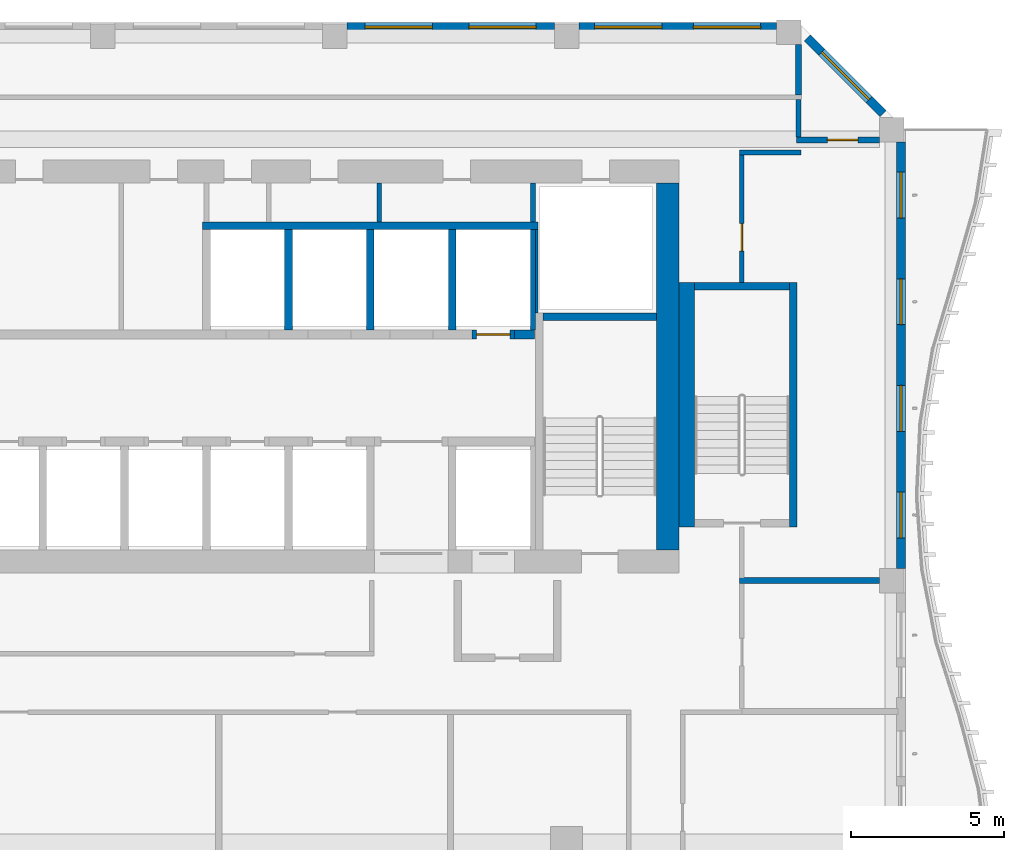
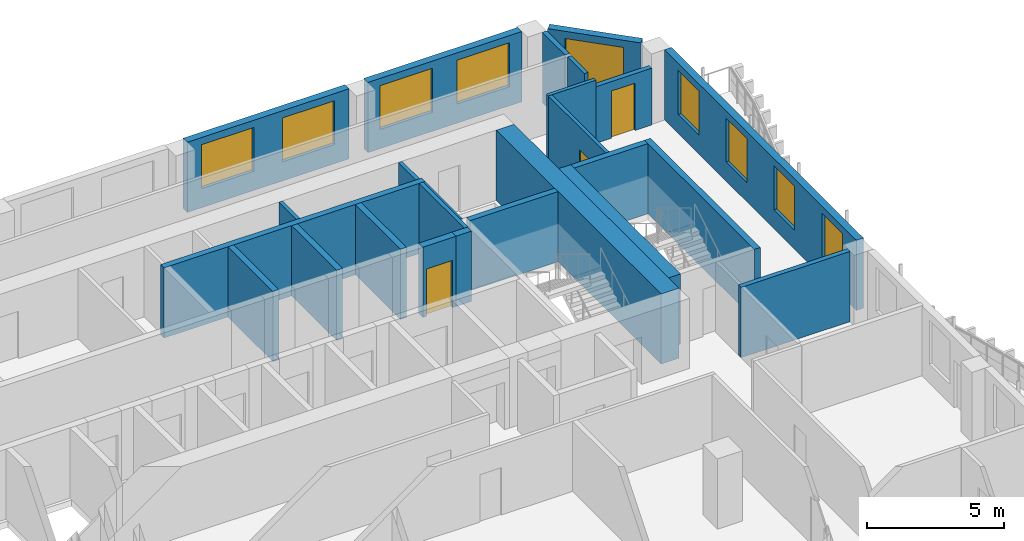
# One storey, part 10 of 21: 25 walls, 9 windows, 3 doors, 12 openings.
"""IFC4 building model written with IfcOpenShell, lengths in metres."""

from ifc_helpers import new_model, si_unit, direction, frame, frame_2d, origin, place, context, subcontext, project, spatial, rectangle, extrude, source, transform, mapped, material, layer, layer_set, type_object, element, fill, save


model = new_model("IFC4")

# Units and contexts
model_context = context("Model", 3, precision=1e-05, world=origin(), true_north=direction((0.0, 1.0)))
body_context = subcontext(model_context, "Body", "Model", "MODEL_VIEW")
ifc_project = project(units=[si_unit("LENGTHUNIT", "METRE"), si_unit("AREAUNIT", "SQUARE_METRE"), si_unit("VOLUMEUNIT", "CUBIC_METRE"), si_unit("PLANEANGLEUNIT", "RADIAN"), si_unit("MASSUNIT", "GRAM", prefix="KILO")], contexts=[model_context])

# Site, building, storey
site_placement = place(None, origin())
site = spatial("IfcSite", under=ifc_project, at=site_placement, CompositionType="ELEMENT")
building_placement = place(site_placement, origin())
building = spatial("IfcBuilding", under=site, at=building_placement, Name="Kilnfold Tower and Market Hall", CompositionType="ELEMENT")
storey_placement = place(building_placement, frame((0.0, 0.0, 182.10009765625)))
storey = spatial("IfcBuildingStorey", under=building, at=storey_placement, Name="L43", CompositionType="ELEMENT", Elevation=182.10009765625)

# Wall
ifc_material_1 = material(Name="Gypsum board on steel studs", Category="steel")
ifc_layer_1 = layer(ifc_material_1, 0.14990234375)
ifc_layer_set_1 = layer_set([ifc_layer_1], Name="Gypsum board on steel studs")
wall_type_1 = type_object("IfcWallType", Name="WALL CORRIDOR 150", PredefinedType="PARTITIONING", material=ifc_layer_set_1)
wall_1_placement = place(storey_placement, frame((19.824951171875, 22.0, 0.0), z_axis=(0.0, 0.0, 1.0), x_axis=(1.0, 0.0, 0.0)))
element("IfcWall", 1, at=wall_1_placement, inside=storey, type_object=wall_type_1, Name="Partition LY27.30", PredefinedType="PARTITIONING", context=body_context, shape_type="SweptSolid", body=[
    extrude(rectangle(XDim=2.0, YDim=0.14990234375, at=frame_2d((1.0, 0.0))), origin(), (0.0, 0.0, 1.0), 3.119873046875),
])

# Wall, opening, door
wall_2_placement = place(storey_placement, frame((19.89990234375, 17.75, 0.0), z_axis=(0.0, 0.0, 1.0), x_axis=(0.0, 1.0, 0.0)))
wall_2 = element("IfcWall", 2, at=wall_2_placement, inside=storey, type_object=wall_type_1, Name="Partition LY27.31", PredefinedType="PARTITIONING", context=body_context, shape_type="SweptSolid", body=[
    extrude(rectangle(XDim=4.175048828125, YDim=0.14990234375, at=frame_2d((2.08740234375, 0.0))), origin(), (0.0, 0.0, 1.0), 3.119873046875),
])
opening_1_placement = place(wall_2_placement, frame((1.02099609375, 0.0, 0.0)))
opening_1 = element("IfcOpeningElement", 3, at=opening_1_placement, cuts=wall_2, Name="Opening D2", PredefinedType="OPENING", context=body_context, shape_type="SweptSolid", body=[
    extrude(rectangle(XDim=0.89990234375, YDim=2.10009765625, at=frame_2d((0.449951171875, 1.050048828125))), frame((0.0, 0.0849609375, 0.0), z_axis=(0.0, -1.0, 0.0), x_axis=(1.0, 0.0, 0.0)), (0.0, 0.0, 1.0), 0.169921875),
])
ifc_material_2 = material(Name="Timber veneer door leaf in steel frame", Category="steel")
door_type_1 = type_object("IfcDoorType", Name="DOOR ROOM 900 X2100", OperationType="NOTDEFINED", PredefinedType="DOOR", material=ifc_material_2)
door_1_placement = place(opening_1_placement, origin())
door_1 = element("IfcDoor", 4, at=door_1_placement, inside=storey, type_object=door_type_1, Name="Door D2", OperationType="SINGLE_SWING_LEFT", OverallHeight=2.10009765625, OverallWidth=0.89990234375, PredefinedType="DOOR", context=body_context, shape_type="SweptSolid", body=[
    extrude(rectangle(XDim=0.89990234375, YDim=2.10009765625, at=frame_2d((0.449951171875, 1.050048828125))), frame((0.0, 0.02490234375, 0.0), z_axis=(0.0, -1.0, 0.0), x_axis=(1.0, 0.0, 0.0)), (0.0, 0.0, 1.0), 0.050048828125),
])
fill(opening_1, door_1)

# Walls
wall_3_placement = place(storey_placement, frame((21.75, 22.5029296875, 0.0), z_axis=(0.0, 0.0, 1.0), x_axis=(0.0, 1.0, 0.0)))
element("IfcWall", 5, at=wall_3_placement, inside=storey, type_object=wall_type_1, Name="Partition LY27.33", PredefinedType="PARTITIONING", context=body_context, shape_type="SweptSolid", body=[
    extrude(rectangle(XDim=1.22216796875, YDim=0.14990234375, at=frame_2d((0.611083984375, 0.0))), origin(), (0.0, 0.0, 1.0), 3.119873046875),
])
ifc_material_3 = material(Name="Gypsum board on steel studs", Category="steel")
ifc_layer_2 = layer(ifc_material_3, 0.199951171875)
ifc_layer_set_2 = layer_set([ifc_layer_2], Name="Gypsum board on steel studs")
wall_type_2 = type_object("IfcWallType", Name="WALL PARTY 200", PredefinedType="PARTITIONING", material=ifc_layer_set_2)
wall_4_placement = place(storey_placement, frame((19.826904296875, 8.0, 0.0), z_axis=(0.0, 0.0, 1.0), x_axis=(1.0, 0.0, 0.0)))
element("IfcWall", 6, at=wall_4_placement, inside=storey, type_object=wall_type_2, Name="Partition LY27.111", PredefinedType="PARTITIONING", context=body_context, shape_type="SweptSolid", body=[
    extrude(rectangle(XDim=4.572998046875, YDim=0.199951171875, at=frame_2d((2.28662109375, 0.0))), origin(), (0.0, 0.0, 1.0), 3.119873046875),
])

# Wall, opening, door
wall_5_placement = place(storey_placement, frame((24.39990234375, 22.4130859375, 0.0), z_axis=(0.0, 0.0, 1.0), x_axis=(-1.0, 0.0, 0.0)))
wall_5 = element("IfcWall", 7, at=wall_5_placement, inside=storey, type_object=wall_type_2, Name="Partition LY27.113", PredefinedType="PARTITIONING", context=body_context, shape_type="SweptSolid", body=[
    extrude(rectangle(XDim=2.722900390625, YDim=0.199951171875, at=frame_2d((1.361328125, 0.0))), origin(), (0.0, 0.0, 1.0), 2.52001953125),
])
opening_2_placement = place(wall_5_placement, frame((0.708984375, 0.0, 0.0)))
opening_2 = element("IfcOpeningElement", 8, at=opening_2_placement, cuts=wall_5, Name="Opening D4", PredefinedType="OPENING", context=body_context, shape_type="SweptSolid", body=[
    extrude(rectangle(XDim=1.0, YDim=2.10009765625, at=frame_2d((0.5, 1.050048828125))), frame((0.0, 0.10986328125, 0.0), z_axis=(0.0, -1.0, 0.0), x_axis=(1.0, 0.0, 0.0)), (0.0, 0.0, 1.0), 0.219970703125),
])
ifc_material_4 = material(Name="Timber veneer door leaf in steel frame", Category="steel")
door_type_2 = type_object("IfcDoorType", Name="DOOR SERVICE 1000 X2100", OperationType="NOTDEFINED", PredefinedType="DOOR", material=ifc_material_4)
door_2_placement = place(opening_2_placement, origin())
door_2 = element("IfcDoor", 9, at=door_2_placement, inside=storey, type_object=door_type_2, Name="Door D4", OperationType="SINGLE_SWING_RIGHT", OverallHeight=2.10009765625, OverallWidth=1.0, PredefinedType="DOOR", context=body_context, shape_type="SweptSolid", body=[
    extrude(rectangle(XDim=1.0, YDim=2.10009765625, at=frame_2d((0.5, 1.050048828125))), frame((0.0, 0.02490234375, 0.0), z_axis=(0.0, -1.0, 0.0), x_axis=(1.0, 0.0, 0.0)), (0.0, 0.0, 1.0), 0.050048828125),
])
fill(opening_2, door_2)

# Walls
wall_6_placement = place(storey_placement, frame((21.75, 25.531982421875, 0.0), z_axis=(0.0, 0.0, 1.0), x_axis=(0.0, -1.0, 0.0)))
element("IfcWall", 10, at=wall_6_placement, inside=storey, type_object=wall_type_2, Name="Partition LY27.114", PredefinedType="PARTITIONING", context=body_context, shape_type="SweptSolid", body=[
    extrude(rectangle(XDim=1.655029296875, YDim=0.199951171875, at=frame_2d((0.82763671875, 0.0))), origin(), (0.0, 0.0, 1.0), 3.119873046875),
])
ifc_material_5 = material(Name="Concrete C60", Category="concrete")
ifc_layer_3 = layer(ifc_material_5, 0.25)
ifc_layer_set_3 = layer_set([ifc_layer_3], Name="Concrete C60")
wall_type_3 = type_object("IfcWallType", Name="CORE WALL 250 C60", PredefinedType="SHEAR", material=ifc_layer_set_3)
shared_shape_1 = source(origin(), body_context, "Body", "SweptSolid", [
    extrude(rectangle(XDim=3.7001953125, YDim=0.25, at=frame_2d((1.85009765625, 0.0))), origin(), (0.0, 0.0, 1.0), 3.119873046875),
])
wall_7_placement = place(storey_placement, frame((13.39990234375, 16.625, 0.0), z_axis=(0.0, 0.0, 1.0), x_axis=(1.0, 0.0, 0.0)))
element("IfcWall", 11, at=wall_7_placement, inside=storey, type_object=wall_type_3, Name="Stair enclosure ST2", PredefinedType="SHEAR", context=body_context, shape_type="MappedRepresentation", body=[
    mapped(shared_shape_1, transform((0.0, 0.0, 0.0))),
])
shared_shape_2 = source(origin(), body_context, "Body", "SweptSolid", [
    extrude(rectangle(XDim=8.0, YDim=0.25, at=frame_2d((4.0, 0.0))), origin(), (0.0, 0.0, 1.0), 3.119873046875),
])
wall_8_placement = place(storey_placement, frame((21.574951171875, 9.75, 0.0), z_axis=(0.0, 0.0, 1.0), x_axis=(0.0, 1.0, 0.0)))
element("IfcWall", 12, at=wall_8_placement, inside=storey, type_object=wall_type_3, Name="Stair enclosure ST5", PredefinedType="SHEAR", context=body_context, shape_type="MappedRepresentation", body=[
    mapped(shared_shape_2, transform((0.0, 0.0, 0.0))),
])
shared_shape_3 = source(origin(), body_context, "Body", "SweptSolid", [
    extrude(rectangle(XDim=3.099853515625, YDim=0.25, at=frame_2d((1.5498046875, 0.0))), origin(), (0.0, 0.0, 1.0), 3.119873046875),
])
wall_9_placement = place(storey_placement, frame((18.35009765625, 17.625, 0.0), z_axis=(0.0, 0.0, 1.0), x_axis=(1.0, 0.0, 0.0)))
element("IfcWall", 13, at=wall_9_placement, inside=storey, type_object=wall_type_3, Name="Stair enclosure ST5", PredefinedType="SHEAR", context=body_context, shape_type="MappedRepresentation", body=[
    mapped(shared_shape_3, transform((0.0, 0.0, 0.0))),
])
ifc_material_6 = material(Name="Concrete C60", Category="concrete")
ifc_layer_4 = layer(ifc_material_6, 0.300048828125)
ifc_layer_set_4 = layer_set([ifc_layer_4], Name="Concrete C60")
wall_type_4 = type_object("IfcWallType", Name="CORE WALL 300 C60", PredefinedType="SHEAR", material=ifc_layer_set_4)
shared_shape_4 = source(origin(), body_context, "Body", "SweptSolid", [
    extrude(rectangle(XDim=0.64013671875, YDim=0.300048828125, at=frame_2d((0.320068359375, 0.0))), origin(), (0.0, 0.0, 1.0), 3.119873046875),
])
wall_10_placement = place(storey_placement, frame((12.469970703125, 16.050048828125, 0.0), z_axis=(0.0, 0.0, 1.0), x_axis=(1.0, 0.0, 0.0)))
element("IfcWall", 14, at=wall_10_placement, inside=storey, type_object=wall_type_4, Name="Core spine wall", PredefinedType="SHEAR", context=body_context, shape_type="MappedRepresentation", body=[
    mapped(shared_shape_4, transform((0.0, 0.0, 0.0))),
])
ifc_material_7 = material(Name="Concrete C60", Category="concrete")
ifc_layer_5 = layer(ifc_material_7, 0.75)
ifc_layer_set_5 = layer_set([ifc_layer_5], Name="Concrete C60")
wall_type_5 = type_object("IfcWallType", Name="CORE WALL 750 C60", PredefinedType="SHEAR", material=ifc_layer_set_5)
shared_shape_5 = source(origin(), body_context, "Body", "SweptSolid", [
    extrude(rectangle(XDim=12.0, YDim=0.75, at=frame_2d((6.0, 0.0))), origin(), (0.0, 0.0, 1.0), 3.119873046875),
])
wall_11_placement = place(storey_placement, frame((17.47509765625, 9.0, 0.0), z_axis=(0.0, 0.0, 1.0), x_axis=(0.0, 1.0, 0.0)))
element("IfcWall", 15, at=wall_11_placement, inside=storey, type_object=wall_type_5, Name="Core outer wall east", PredefinedType="SHEAR", context=body_context, shape_type="MappedRepresentation", body=[
    mapped(shared_shape_5, transform((0.0, 0.0, 0.0))),
])
ifc_material_8 = material(Name="Concrete C60", Category="concrete")
ifc_layer_6 = layer(ifc_material_8, 0.5)
ifc_layer_set_6 = layer_set([ifc_layer_6], Name="Concrete C60")
wall_type_6 = type_object("IfcWallType", Name="CORE WALL 500 C60", PredefinedType="SHEAR", material=ifc_layer_set_6)
shared_shape_6 = source(origin(), body_context, "Body", "SweptSolid", [
    extrude(rectangle(XDim=8.0, YDim=0.5, at=frame_2d((4.0, 0.0))), origin(), (0.0, 0.0, 1.0), 3.119873046875),
])
wall_12_placement = place(storey_placement, frame((18.10009765625, 9.75, 0.0), z_axis=(0.0, 0.0, 1.0), x_axis=(0.0, 1.0, 0.0)))
element("IfcWall", 16, at=wall_12_placement, inside=storey, type_object=wall_type_6, Name="Stair enclosure ST5", PredefinedType="SHEAR", context=body_context, shape_type="MappedRepresentation", body=[
    mapped(shared_shape_6, transform((0.0, 0.0, 0.0))),
])

# Wall, openings, windows
ifc_material_9 = material(Name="Precast concrete C50/60", Category="concrete")
ifc_layer_7 = layer(ifc_material_9, 0.300048828125)
ifc_layer_set_7 = layer_set([ifc_layer_7], Name="Precast concrete C50/60")
wall_type_7 = type_object("IfcWallType", Name="PRECAST WALL 300", PredefinedType="SOLIDWALL", material=ifc_layer_set_7)
shared_shape_7 = source(origin(), body_context, "Body", "SweptSolid", [
    extrude(rectangle(XDim=6.783203125, YDim=0.300048828125, at=frame_2d((3.3916015625, 0.0))), origin(), (0.0, 0.0, 1.0), 3.119873046875),
])
wall_13_placement = place(storey_placement, frame((13.7666015625, 26.10009765625, 0.0), z_axis=(0.0, 0.0, 1.0), x_axis=(-1.0, 0.0, 0.0)))
wall_13 = element("IfcWall", 17, at=wall_13_placement, inside=storey, type_object=wall_type_7, Name="External wall L43 N", PredefinedType="SOLIDWALL", context=body_context, shape_type="MappedRepresentation", body=[
    mapped(shared_shape_7, transform((0.0, 0.0, 0.0))),
])
opening_3_placement = place(wall_13_placement, frame((0.595703125, 0.0, 0.85009765625)))
opening_3 = element("IfcOpeningElement", 18, at=opening_3_placement, cuts=wall_13, Name="Opening W2", PredefinedType="OPENING", context=body_context, shape_type="SweptSolid", body=[
    extrude(rectangle(XDim=2.199951171875, YDim=1.949951171875, at=frame_2d((1.10009765625, 0.97509765625))), frame((0.0, 0.16015625, 0.0), z_axis=(0.0, -1.0, 0.0), x_axis=(1.0, 0.0, 0.0)), (0.0, 0.0, 1.0), 0.320068359375),
])
opening_4_placement = place(wall_13_placement, frame((3.987548828125, 0.0, 0.85009765625)))
opening_4 = element("IfcOpeningElement", 19, at=opening_4_placement, cuts=wall_13, Name="Opening W2", PredefinedType="OPENING", context=body_context, shape_type="SweptSolid", body=[
    extrude(rectangle(XDim=2.199951171875, YDim=1.949951171875, at=frame_2d((1.10009765625, 0.97509765625))), frame((0.0, 0.16015625, 0.0), z_axis=(0.0, -1.0, 0.0), x_axis=(1.0, 0.0, 0.0)), (0.0, 0.0, 1.0), 0.320068359375),
])
ifc_material_10 = material(Name="Aluminium frame and double glazing", Category="aluminium")
window_type_1 = type_object("IfcWindowType", Name="WINDOW W2 2200X1950", PartitioningType="SINGLE_PANEL", PredefinedType="WINDOW", material=ifc_material_10)
window_1_placement = place(opening_3_placement, origin())
window_1 = element("IfcWindow", 20, at=window_1_placement, inside=storey, type_object=window_type_1, Name="Window W2 L43 N-1", OverallHeight=1.949951171875, OverallWidth=2.199951171875, PartitioningType="SINGLE_PANEL", PredefinedType="WINDOW", context=body_context, shape_type="SweptSolid", body=[
    extrude(rectangle(XDim=2.199951171875, YDim=1.949951171875, at=frame_2d((1.10009765625, 0.97509765625))), frame((0.0, 0.030029296875, 0.0), z_axis=(0.0, -1.0, 0.0), x_axis=(1.0, 0.0, 0.0)), (0.0, 0.0, 1.0), 0.06005859375),
])
fill(opening_3, window_1)
window_2_placement = place(opening_4_placement, origin())
window_2 = element("IfcWindow", 21, at=window_2_placement, inside=storey, type_object=window_type_1, Name="Window W2 L43 N-2", OverallHeight=1.949951171875, OverallWidth=2.199951171875, PartitioningType="SINGLE_PANEL", PredefinedType="WINDOW", context=body_context, shape_type="SweptSolid", body=[
    extrude(rectangle(XDim=2.199951171875, YDim=1.949951171875, at=frame_2d((1.10009765625, 0.97509765625))), frame((0.0, 0.030029296875, 0.0), z_axis=(0.0, -1.0, 0.0), x_axis=(1.0, 0.0, 0.0)), (0.0, 0.0, 1.0), 0.06005859375),
])
fill(opening_4, window_2)

# Wall, opening, window
shared_shape_8 = source(origin(), body_context, "Body", "SweptSolid", [
    extrude(rectangle(XDim=3.500244140625, YDim=0.300048828125, at=frame_2d((1.75, 0.0))), origin(), (0.0, 0.0, 1.0), 3.119873046875),
])
wall_14_placement = place(storey_placement, frame((24.518798828125, 23.268798828125, 0.0), z_axis=(0.0, 0.0, 1.0), x_axis=(-0.70707190453, 0.707141656123, 0.0)))
wall_14 = element("IfcWall", 22, at=wall_14_placement, inside=storey, type_object=wall_type_7, Name="External wall L43 NE", PredefinedType="SOLIDWALL", context=body_context, shape_type="MappedRepresentation", body=[
    mapped(shared_shape_8, transform((0.0, 0.0, 0.0))),
])
opening_5_placement = place(wall_14_placement, frame((0.650146484375, 0.0, 0.85009765625)))
opening_5 = element("IfcOpeningElement", 23, at=opening_5_placement, cuts=wall_14, Name="Opening W2", PredefinedType="OPENING", context=body_context, shape_type="SweptSolid", body=[
    extrude(rectangle(XDim=2.199951171875, YDim=1.949951171875, at=frame_2d((1.10009765625, 0.97509765625))), frame((0.0, 0.16015625, 0.0), z_axis=(0.0, -1.0, 0.0), x_axis=(1.0, 0.0, 0.0)), (0.0, 0.0, 1.0), 0.320068359375),
])
window_3_placement = place(opening_5_placement, origin())
window_3 = element("IfcWindow", 24, at=window_3_placement, inside=storey, type_object=window_type_1, Name="Window W2 L43 NE-1", OverallHeight=1.949951171875, OverallWidth=2.199951171875, PartitioningType="SINGLE_PANEL", PredefinedType="WINDOW", context=body_context, shape_type="SweptSolid", body=[
    extrude(rectangle(XDim=2.199951171875, YDim=1.949951171875, at=frame_2d((1.10009765625, 0.97509765625))), frame((0.0, 0.030029296875, 0.0), z_axis=(0.0, -1.0, 0.0), x_axis=(1.0, 0.0, 0.0)), (0.0, 0.0, 1.0), 0.06005859375),
])
fill(opening_5, window_3)

# Wall, openings, windows
shared_shape_9 = source(origin(), body_context, "Body", "SweptSolid", [
    extrude(rectangle(XDim=6.465087890625, YDim=0.300048828125, at=frame_2d((3.232421875, 0.0))), origin(), (0.0, 0.0, 1.0), 3.119873046875),
])
wall_15_placement = place(storey_placement, frame((21.03173828125, 26.10009765625, 0.0), z_axis=(0.0, 0.0, 1.0), x_axis=(-1.0, 0.0, 0.0)))
wall_15 = element("IfcWall", 25, at=wall_15_placement, inside=storey, type_object=wall_type_7, Name="External wall L43 N", PredefinedType="SOLIDWALL", context=body_context, shape_type="MappedRepresentation", body=[
    mapped(shared_shape_9, transform((0.0, 0.0, 0.0))),
])
opening_6_placement = place(wall_15_placement, frame((0.51611328125, 0.0, 0.85009765625)))
opening_6 = element("IfcOpeningElement", 26, at=opening_6_placement, cuts=wall_15, Name="Opening W2", PredefinedType="OPENING", context=body_context, shape_type="SweptSolid", body=[
    extrude(rectangle(XDim=2.199951171875, YDim=1.949951171875, at=frame_2d((1.10009765625, 0.97509765625))), frame((0.0, 0.16015625, 0.0), z_axis=(0.0, -1.0, 0.0), x_axis=(1.0, 0.0, 0.0)), (0.0, 0.0, 1.0), 0.320068359375),
])
opening_7_placement = place(wall_15_placement, frame((3.748779296875, 0.0, 0.85009765625)))
opening_7 = element("IfcOpeningElement", 27, at=opening_7_placement, cuts=wall_15, Name="Opening W2", PredefinedType="OPENING", context=body_context, shape_type="SweptSolid", body=[
    extrude(rectangle(XDim=2.199951171875, YDim=1.949951171875, at=frame_2d((1.10009765625, 0.97509765625))), frame((0.0, 0.16015625, 0.0), z_axis=(0.0, -1.0, 0.0), x_axis=(1.0, 0.0, 0.0)), (0.0, 0.0, 1.0), 0.320068359375),
])
window_4_placement = place(opening_6_placement, origin())
window_4 = element("IfcWindow", 28, at=window_4_placement, inside=storey, type_object=window_type_1, Name="Window W2 L43 N-1", OverallHeight=1.949951171875, OverallWidth=2.199951171875, PartitioningType="SINGLE_PANEL", PredefinedType="WINDOW", context=body_context, shape_type="SweptSolid", body=[
    extrude(rectangle(XDim=2.199951171875, YDim=1.949951171875, at=frame_2d((1.10009765625, 0.97509765625))), frame((0.0, 0.030029296875, 0.0), z_axis=(0.0, -1.0, 0.0), x_axis=(1.0, 0.0, 0.0)), (0.0, 0.0, 1.0), 0.06005859375),
])
fill(opening_6, window_4)
window_5_placement = place(opening_7_placement, origin())
window_5 = element("IfcWindow", 29, at=window_5_placement, inside=storey, type_object=window_type_1, Name="Window W2 L43 N-2", OverallHeight=1.949951171875, OverallWidth=2.199951171875, PartitioningType="SINGLE_PANEL", PredefinedType="WINDOW", context=body_context, shape_type="SweptSolid", body=[
    extrude(rectangle(XDim=2.199951171875, YDim=1.949951171875, at=frame_2d((1.10009765625, 0.97509765625))), frame((0.0, 0.030029296875, 0.0), z_axis=(0.0, -1.0, 0.0), x_axis=(1.0, 0.0, 0.0)), (0.0, 0.0, 1.0), 0.06005859375),
])
fill(opening_7, window_5)

shared_shape_10 = source(origin(), body_context, "Body", "SweptSolid", [
    extrude(rectangle(XDim=13.9501953125, YDim=0.300048828125, at=frame_2d((6.97509765625, 0.0))), origin(), (0.0, 0.0, 1.0), 3.119873046875),
])
wall_16_placement = place(storey_placement, frame((25.10009765625, 8.39990234375, 0.0), z_axis=(0.0, 0.0, 1.0), x_axis=(0.0, 1.0, 0.0)))
wall_16 = element("IfcWall", 30, at=wall_16_placement, inside=storey, type_object=wall_type_7, Name="External wall L43 E", PredefinedType="SOLIDWALL", context=body_context, shape_type="MappedRepresentation", body=[
    mapped(shared_shape_10, transform((0.0, 0.0, 0.0))),
])
opening_8_placement = place(wall_16_placement, frame((0.993896484375, 0.0, 0.85009765625)))
opening_8 = element("IfcOpeningElement", 31, at=opening_8_placement, cuts=wall_16, Name="Opening W4", PredefinedType="OPENING", context=body_context, shape_type="SweptSolid", body=[
    extrude(rectangle(XDim=1.5, YDim=1.949951171875, at=frame_2d((0.75, 0.97509765625))), frame((0.0, 0.16015625, 0.0), z_axis=(0.0, -1.0, 0.0), x_axis=(1.0, 0.0, 0.0)), (0.0, 0.0, 1.0), 0.320068359375),
])
opening_9_placement = place(wall_16_placement, frame((4.481201171875, 0.0, 0.85009765625)))
opening_9 = element("IfcOpeningElement", 32, at=opening_9_placement, cuts=wall_16, Name="Opening W4", PredefinedType="OPENING", context=body_context, shape_type="SweptSolid", body=[
    extrude(rectangle(XDim=1.5, YDim=1.949951171875, at=frame_2d((0.75, 0.97509765625))), frame((0.0, 0.16015625, 0.0), z_axis=(0.0, -1.0, 0.0), x_axis=(1.0, 0.0, 0.0)), (0.0, 0.0, 1.0), 0.320068359375),
])
opening_10_placement = place(wall_16_placement, frame((7.96875, 0.0, 0.85009765625)))
opening_10 = element("IfcOpeningElement", 33, at=opening_10_placement, cuts=wall_16, Name="Opening W4", PredefinedType="OPENING", context=body_context, shape_type="SweptSolid", body=[
    extrude(rectangle(XDim=1.5, YDim=1.949951171875, at=frame_2d((0.75, 0.97509765625))), frame((0.0, 0.16015625, 0.0), z_axis=(0.0, -1.0, 0.0), x_axis=(1.0, 0.0, 0.0)), (0.0, 0.0, 1.0), 0.320068359375),
])
opening_11_placement = place(wall_16_placement, frame((11.456298828125, 0.0, 0.85009765625)))
opening_11 = element("IfcOpeningElement", 34, at=opening_11_placement, cuts=wall_16, Name="Opening W4", PredefinedType="OPENING", context=body_context, shape_type="SweptSolid", body=[
    extrude(rectangle(XDim=1.5, YDim=1.949951171875, at=frame_2d((0.75, 0.97509765625))), frame((0.0, 0.16015625, 0.0), z_axis=(0.0, -1.0, 0.0), x_axis=(1.0, 0.0, 0.0)), (0.0, 0.0, 1.0), 0.320068359375),
])
ifc_material_11 = material(Name="Aluminium frame and double glazing", Category="aluminium")
window_type_2 = type_object("IfcWindowType", Name="WINDOW W4 1500X1950", PartitioningType="SINGLE_PANEL", PredefinedType="WINDOW", material=ifc_material_11)
window_6_placement = place(opening_8_placement, origin())
window_6 = element("IfcWindow", 35, at=window_6_placement, inside=storey, type_object=window_type_2, Name="Window W4 L43 E-1", OverallHeight=1.949951171875, OverallWidth=1.5, PartitioningType="SINGLE_PANEL", PredefinedType="WINDOW", context=body_context, shape_type="SweptSolid", body=[
    extrude(rectangle(XDim=1.5, YDim=1.949951171875, at=frame_2d((0.75, 0.97509765625))), frame((0.0, 0.030029296875, 0.0), z_axis=(0.0, -1.0, 0.0), x_axis=(1.0, 0.0, 0.0)), (0.0, 0.0, 1.0), 0.06005859375),
])
fill(opening_8, window_6)
window_7_placement = place(opening_9_placement, origin())
window_7 = element("IfcWindow", 36, at=window_7_placement, inside=storey, type_object=window_type_2, Name="Window W4 L43 E-2", OverallHeight=1.949951171875, OverallWidth=1.5, PartitioningType="SINGLE_PANEL", PredefinedType="WINDOW", context=body_context, shape_type="SweptSolid", body=[
    extrude(rectangle(XDim=1.5, YDim=1.949951171875, at=frame_2d((0.75, 0.97509765625))), frame((0.0, 0.030029296875, 0.0), z_axis=(0.0, -1.0, 0.0), x_axis=(1.0, 0.0, 0.0)), (0.0, 0.0, 1.0), 0.06005859375),
])
fill(opening_9, window_7)
window_8_placement = place(opening_10_placement, origin())
window_8 = element("IfcWindow", 37, at=window_8_placement, inside=storey, type_object=window_type_2, Name="Window W4 L43 E-3", OverallHeight=1.949951171875, OverallWidth=1.5, PartitioningType="SINGLE_PANEL", PredefinedType="WINDOW", context=body_context, shape_type="SweptSolid", body=[
    extrude(rectangle(XDim=1.5, YDim=1.949951171875, at=frame_2d((0.75, 0.97509765625))), frame((0.0, 0.030029296875, 0.0), z_axis=(0.0, -1.0, 0.0), x_axis=(1.0, 0.0, 0.0)), (0.0, 0.0, 1.0), 0.06005859375),
])
fill(opening_10, window_8)
window_9_placement = place(opening_11_placement, origin())
window_9 = element("IfcWindow", 38, at=window_9_placement, inside=storey, type_object=window_type_2, Name="Window W4 L43 E-4", OverallHeight=1.949951171875, OverallWidth=1.5, PartitioningType="SINGLE_PANEL", PredefinedType="WINDOW", context=body_context, shape_type="SweptSolid", body=[
    extrude(rectangle(XDim=1.5, YDim=1.949951171875, at=frame_2d((0.75, 0.97509765625))), frame((0.0, 0.030029296875, 0.0), z_axis=(0.0, -1.0, 0.0), x_axis=(1.0, 0.0, 0.0)), (0.0, 0.0, 1.0), 0.06005859375),
])
fill(opening_11, window_9)

# Wall, opening, door
ifc_material_12 = material(Name="Gypsum shaft wall system")
ifc_layer_8 = layer(ifc_material_12, 0.300048828125)
ifc_layer_set_8 = layer_set([ifc_layer_8], Name="Gypsum shaft wall system")
wall_type_8 = type_object("IfcWallType", Name="SHAFT WALL 300", PredefinedType="PARTITIONING", material=ifc_layer_set_8)
shared_shape_11 = source(origin(), body_context, "Body", "SweptSolid", [
    extrude(rectangle(XDim=1.39990234375, YDim=0.300048828125, at=frame_2d((0.699951171875, 0.0))), origin(), (0.0, 0.0, 1.0), 3.119873046875),
])
wall_17_placement = place(storey_placement, frame((11.070068359375, 16.050048828125, 0.0), z_axis=(0.0, 0.0, 1.0), x_axis=(1.0, 0.0, 0.0)))
wall_17 = element("IfcWall", 39, at=wall_17_placement, inside=storey, type_object=wall_type_8, Name="Lift shaft front wall", PredefinedType="PARTITIONING", context=body_context, shape_type="MappedRepresentation", body=[
    mapped(shared_shape_11, transform((0.0, 0.0, 0.0))),
])
opening_12_placement = place(wall_17_placement, frame((0.14990234375, 0.0, 0.0)))
opening_12 = element("IfcOpeningElement", 40, at=opening_12_placement, cuts=wall_17, Name="Opening LD2", PredefinedType="OPENING", context=body_context, shape_type="SweptSolid", body=[
    extrude(rectangle(XDim=1.10009765625, YDim=2.10009765625, at=frame_2d((0.550048828125, 1.050048828125))), frame((0.0, 0.16015625, 0.0), z_axis=(0.0, -1.0, 0.0), x_axis=(1.0, 0.0, 0.0)), (0.0, 0.0, 1.0), 0.320068359375),
])
ifc_material_13 = material(Name="Steel door set with fire-resisting leaf", Category="steel")
door_type_3 = type_object("IfcDoorType", Name="LANDING DOOR 1100X2100", OperationType="NOTDEFINED", PredefinedType="DOOR", material=ifc_material_13)
door_3_placement = place(opening_12_placement, origin())
door_3 = element("IfcDoor", 41, at=door_3_placement, inside=storey, type_object=door_type_3, Name="Landing door MR6", OperationType="DOUBLE_DOOR_SLIDING", OverallHeight=2.10009765625, OverallWidth=1.10009765625, PredefinedType="DOOR", context=body_context, shape_type="SweptSolid", body=[
    extrude(rectangle(XDim=1.10009765625, YDim=2.10009765625, at=frame_2d((0.550048828125, 1.050048828125))), frame((0.0, 0.02490234375, 0.0), z_axis=(0.0, -1.0, 0.0), x_axis=(1.0, 0.0, 0.0)), (0.0, 0.0, 1.0), 0.050048828125),
])
fill(opening_12, door_3)

# Walls
ifc_material_14 = material(Name="Gypsum shaft wall system")
ifc_layer_9 = layer(ifc_material_14, 0.25)
ifc_layer_set_9 = layer_set([ifc_layer_9], Name="Gypsum shaft wall system")
wall_type_9 = type_object("IfcWallType", Name="SHAFT WALL 250", PredefinedType="PARTITIONING", material=ifc_layer_set_9)
shared_shape_12 = source(origin(), body_context, "Body", "SweptSolid", [
    extrude(rectangle(XDim=10.97021484375, YDim=0.25, at=frame_2d((5.485107421875, 0.0))), origin(), (0.0, 0.0, 1.0), 3.119873046875),
])
wall_18_placement = place(storey_placement, frame((2.264892578125, 19.60009765625, 0.0), z_axis=(0.0, 0.0, 1.0), x_axis=(1.0, 0.0, 0.0)))
element("IfcWall", 42, at=wall_18_placement, inside=storey, type_object=wall_type_9, Name="Lift shaft wall", PredefinedType="PARTITIONING", context=body_context, shape_type="MappedRepresentation", body=[
    mapped(shared_shape_12, transform((0.0, 0.0, 0.0))),
])
ifc_material_15 = material(Name="Gypsum shaft wall system")
ifc_layer_10 = layer(ifc_material_15, 0.1650390625)
ifc_layer_set_10 = layer_set([ifc_layer_10], Name="Gypsum shaft wall system")
wall_type_10 = type_object("IfcWallType", Name="SHAFT WALL 165", PredefinedType="PARTITIONING", material=ifc_layer_set_10)
shared_shape_13 = source(origin(), body_context, "Body", "SweptSolid", [
    extrude(rectangle(XDim=3.275146484375, YDim=0.1650390625, at=frame_2d((1.6376953125, 0.0))), origin(), (0.0, 0.0, 1.0), 3.119873046875),
])
wall_19_placement = place(storey_placement, frame((13.0673828125, 16.199951171875, 0.0), z_axis=(0.0, 0.0, 1.0), x_axis=(0.0, 1.0, 0.0)))
element("IfcWall", 43, at=wall_19_placement, inside=storey, type_object=wall_type_10, Name="Lift shaft wall", PredefinedType="PARTITIONING", context=body_context, shape_type="MappedRepresentation", body=[
    mapped(shared_shape_13, transform((0.0, 0.0, 0.0))),
])
shared_shape_14 = source(origin(), body_context, "Body", "SweptSolid", [
    extrude(rectangle(XDim=1.27490234375, YDim=0.1650390625, at=frame_2d((0.637451171875, 0.0))), origin(), (0.0, 0.0, 1.0), 3.119873046875),
])
wall_20_placement = place(storey_placement, frame((13.0673828125, 19.72509765625, 0.0), z_axis=(0.0, 0.0, 1.0), x_axis=(0.0, 1.0, 0.0)))
element("IfcWall", 44, at=wall_20_placement, inside=storey, type_object=wall_type_10, Name="Lift shaft wall", PredefinedType="PARTITIONING", context=body_context, shape_type="MappedRepresentation", body=[
    mapped(shared_shape_14, transform((0.0, 0.0, 0.0))),
])
shared_shape_15 = source(origin(), body_context, "Body", "SweptSolid", [
    extrude(rectangle(XDim=3.275146484375, YDim=0.25, at=frame_2d((1.6376953125, 0.0))), origin(), (0.0, 0.0, 1.0), 3.119873046875),
])
for number, where, z_axis, x_axis, name in (
    (45, (10.429931640625, 16.199951171875, 0.0), (0.0, 0.0, 1.0), (0.0, 1.0, 0.0), "Lift shaft wall"),
    (46, (5.070068359375, 16.199951171875, 0.0), (0.0, 0.0, 1.0), (0.0, 1.0, 0.0), "Lift shaft wall"),
    (47, (7.75, 16.199951171875, 0.0), (0.0, 0.0, 1.0), (0.0, 1.0, 0.0), "Lift shaft wall"),
):
    element("IfcWall", number, at=place(storey_placement, frame(where, z_axis=z_axis, x_axis=x_axis)), inside=storey, type_object=wall_type_9, Name=name, PredefinedType="PARTITIONING", context=body_context, shape_type="MappedRepresentation", body=[
        mapped(shared_shape_15, transform((0.0, 0.0, 0.0))),
    ])
ifc_material_16 = material(Name="Gypsum shaft wall system")
ifc_layer_11 = layer(ifc_material_16, 0.0849609375)
ifc_layer_set_11 = layer_set([ifc_layer_11], Name="Gypsum shaft wall system")
wall_type_11 = type_object("IfcWallType", Name="SHAFT WALL 85", PredefinedType="PARTITIONING", material=ifc_layer_set_11)
shared_shape_16 = source(origin(), body_context, "Body", "SweptSolid", [
    extrude(rectangle(XDim=2.72509765625, YDim=0.0849609375, at=frame_2d((1.362548828125, 0.0))), origin(), (0.0, 0.0, 1.0), 3.119873046875),
])
wall_21_placement = place(storey_placement, frame((13.1923828125, 16.75, 0.0), z_axis=(0.0, 0.0, 1.0), x_axis=(0.0, 1.0, 0.0)))
element("IfcWall", 48, at=wall_21_placement, inside=storey, type_object=wall_type_11, Name="Lift shaft wall", PredefinedType="PARTITIONING", context=body_context, shape_type="MappedRepresentation", body=[
    mapped(shared_shape_16, transform((0.0, 0.0, 0.0))),
])
ifc_material_17 = material(Name="Gypsum shaft wall system")
ifc_layer_12 = layer(ifc_material_17, 0.14990234375)
ifc_layer_set_12 = layer_set([ifc_layer_12], Name="Gypsum shaft wall system")
wall_type_12 = type_object("IfcWallType", Name="ROOM WALL 150", PredefinedType="PARTITIONING", material=ifc_layer_set_12)
shared_shape_17 = source(origin(), body_context, "Body", "SweptSolid", [
    extrude(rectangle(XDim=1.27490234375, YDim=0.14990234375, at=frame_2d((0.637451171875, 0.0))), origin(), (0.0, 0.0, 1.0), 3.119873046875),
])
wall_22_placement = place(storey_placement, frame((8.044921875, 19.72509765625, 0.0), z_axis=(0.0, 0.0, 1.0), x_axis=(0.0, 1.0, 0.0)))
element("IfcWall", 49, at=wall_22_placement, inside=storey, type_object=wall_type_12, Name="Core room wall", PredefinedType="PARTITIONING", context=body_context, shape_type="MappedRepresentation", body=[
    mapped(shared_shape_17, transform((0.0, 0.0, 0.0))),
])

save(model, "model.ifc")
